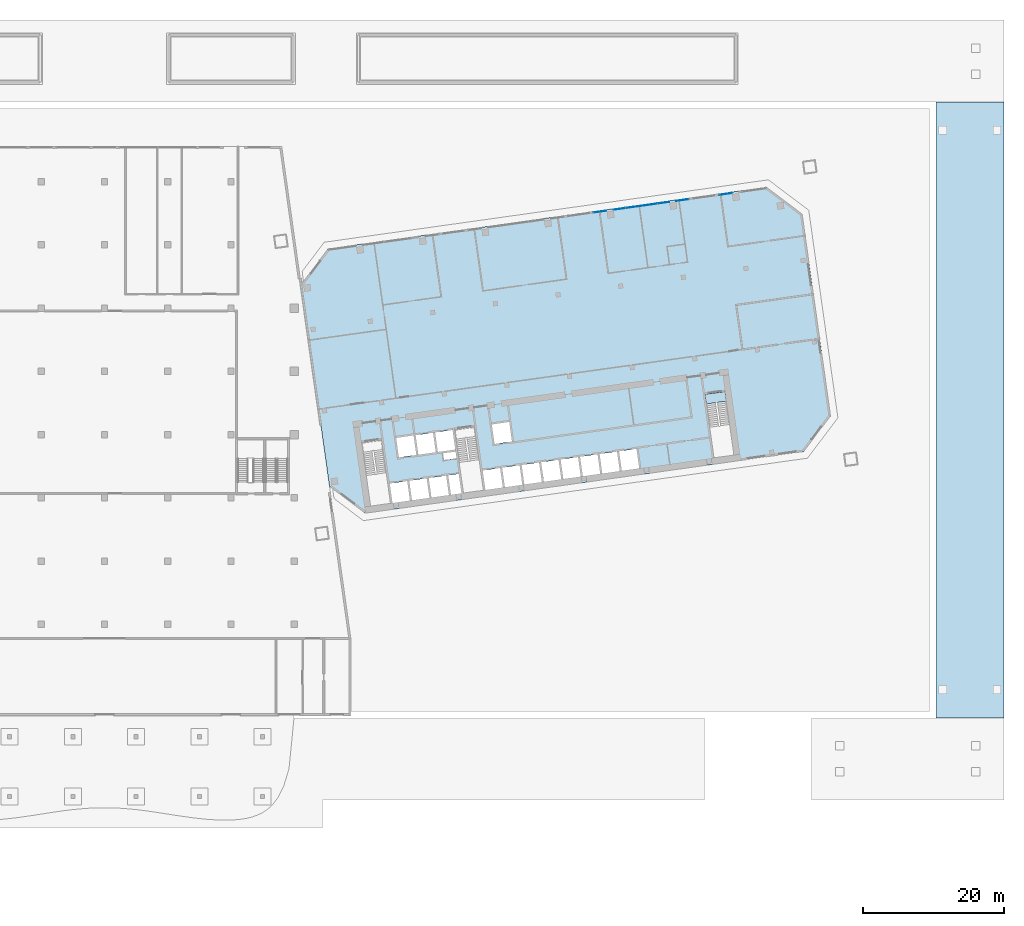
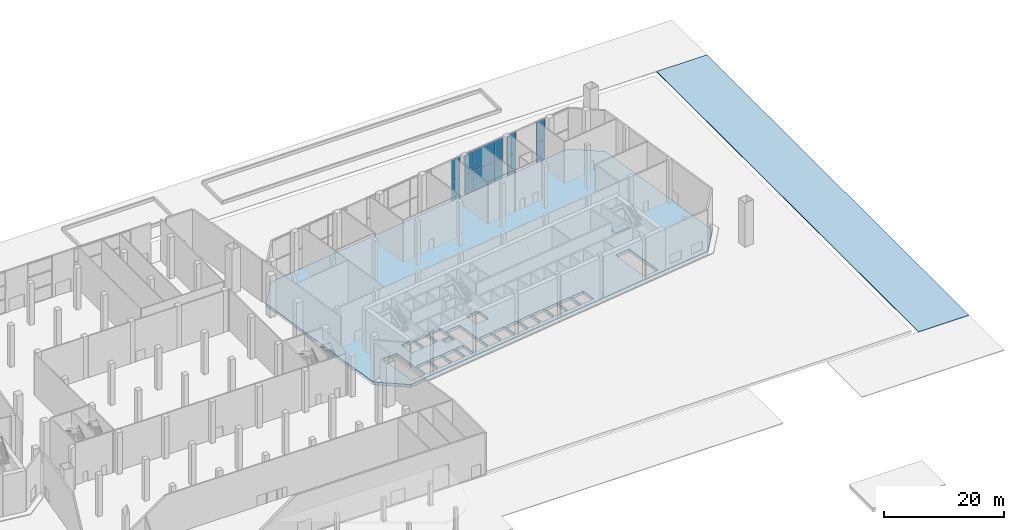
# One storey, part 14 of 34: 12 plates, 3 slabs, 3 elements without a shape of their own.
"""IFC4 building model written with IfcOpenShell, lengths in metres."""

from ifc_helpers import new_model, si_unit, direction, frame, origin, origin_2d, place, context, subcontext, project, spatial, polyline, rectangle, outline, extrude, material, layer, layer_set, type_object, element, aggregate, save


model = new_model("IFC4")

# Units and contexts
model_context = context("Model", 3, precision=1e-05, world=origin(), true_north=direction((0.0, 1.0)))
body_context = subcontext(model_context, "Body", "Model", "MODEL_VIEW")
ifc_project = project(units=[si_unit("LENGTHUNIT", "METRE"), si_unit("AREAUNIT", "SQUARE_METRE"), si_unit("VOLUMEUNIT", "CUBIC_METRE"), si_unit("PLANEANGLEUNIT", "RADIAN"), si_unit("MASSUNIT", "GRAM", prefix="KILO")], contexts=[model_context])

# Site, building, storey
site_placement = place(None, origin())
site = spatial("IfcSite", under=ifc_project, at=site_placement, CompositionType="ELEMENT")
building_placement = place(site_placement, origin())
building = spatial("IfcBuilding", under=site, at=building_placement, Name="Mirante Cascada Hotel Towers", CompositionType="ELEMENT")
storey_placement = place(building_placement, origin())
storey = spatial("IfcBuildingStorey", under=building, at=storey_placement, Name="L00", CompositionType="ELEMENT", Elevation=0.0)

# Curtain wall, plates
ifc_material_1 = material(Name="Aluminium mullion and transom frame with clear laminated glass", Category="aluminium")
curtain_wall_type = type_object("IfcCurtainWallType", Name="Podium curtain wall ECW3", PredefinedType="NOTDEFINED", material=ifc_material_1)
curtain_wall_1_placement = place(storey_placement, origin())
curtain_wall_1 = element("IfcCurtainWall", 1, at=curtain_wall_1_placement, inside=storey, type_object=curtain_wall_type, Name="Podium curtain wall L00 run front.1", PredefinedType="NOTDEFINED")
ifc_material_2 = material(Name="Clear laminated glass", Category="glass")
ifc_layer_1 = layer(ifc_material_2, 0.04)
ifc_layer_set_1 = layer_set([ifc_layer_1], Name="ECW3 glass panel 40")
plate_type = type_object("IfcPlateType", Name="ECW3 glass panel 40", PredefinedType="CURTAIN_PANEL", material=ifc_layer_set_1)
plate_1_placement = place(storey_placement, frame((88.3573, 25.2368, 0.12), z_axis=(0.0, 0.0, 1.0), x_axis=(-0.9902681, -0.1391731, 0.0)))
plate_1 = element("IfcPlate", 2, at=plate_1_placement, type_object=plate_type, Name="ECW3 panel 2", PredefinedType="CURTAIN_PANEL", context=body_context, shape_type="SweptSolid", body=[
    extrude(rectangle(XDim=1.8, YDim=0.04, at=origin_2d()), origin(), (0.0, 0.0, 1.0), 4.07),
])
plate_2_placement = place(storey_placement, frame((88.3573, 25.2368, 4.31), z_axis=(0.0, 0.0, 1.0), x_axis=(-0.9902681, -0.1391731, 0.0)))
plate_2 = element("IfcPlate", 3, at=plate_2_placement, type_object=plate_type, Name="ECW3 panel 2", PredefinedType="CURTAIN_PANEL", context=body_context, shape_type="SweptSolid", body=[
    extrude(rectangle(XDim=1.8, YDim=0.04, at=origin_2d()), origin(), (0.0, 0.0, 1.0), 4.07),
])
aggregate(curtain_wall_1, [plate_1, plate_2])

curtain_wall_2_placement = place(storey_placement, origin())
curtain_wall_2 = element("IfcCurtainWall", 4, at=curtain_wall_2_placement, inside=storey, type_object=curtain_wall_type, Name="Podium curtain wall L00 run front.3", PredefinedType="NOTDEFINED")
plate_3_placement = place(storey_placement, frame((82.2572, 24.3795, 0.12), z_axis=(0.0, 0.0, 1.0), x_axis=(-0.9902681, -0.1391731, 0.0)))
plate_3 = element("IfcPlate", 5, at=plate_3_placement, type_object=plate_type, Name="ECW3 panel 1", PredefinedType="CURTAIN_PANEL", context=body_context, shape_type="SweptSolid", body=[
    extrude(rectangle(XDim=1.8, YDim=0.04, at=origin_2d()), origin(), (0.0, 0.0, 1.0), 4.07),
])
plate_4_placement = place(storey_placement, frame((82.2572, 24.3795, 4.31), z_axis=(0.0, 0.0, 1.0), x_axis=(-0.9902681, -0.1391731, 0.0)))
plate_4 = element("IfcPlate", 6, at=plate_4_placement, type_object=plate_type, Name="ECW3 panel 1", PredefinedType="CURTAIN_PANEL", context=body_context, shape_type="SweptSolid", body=[
    extrude(rectangle(XDim=1.8, YDim=0.04, at=origin_2d()), origin(), (0.0, 0.0, 1.0), 4.07),
])
plate_5_placement = place(storey_placement, frame((79.5241, 23.9954, 0.12), z_axis=(0.0, 0.0, 1.0), x_axis=(-0.9902681, -0.1391731, 0.0)))
plate_5 = element("IfcPlate", 7, at=plate_5_placement, type_object=plate_type, Name="ECW3 panel 1", PredefinedType="CURTAIN_PANEL", context=body_context, shape_type="SweptSolid", body=[
    extrude(rectangle(XDim=1.64, YDim=0.04, at=origin_2d()), origin(), (0.0, 0.0, 1.0), 4.07),
])
plate_6_placement = place(storey_placement, frame((79.5241, 23.9954, 4.31), z_axis=(0.0, 0.0, 1.0), x_axis=(-0.9902681, -0.1391731, 0.0)))
plate_6 = element("IfcPlate", 8, at=plate_6_placement, type_object=plate_type, Name="ECW3 panel 1", PredefinedType="CURTAIN_PANEL", context=body_context, shape_type="SweptSolid", body=[
    extrude(rectangle(XDim=1.64, YDim=0.04, at=origin_2d()), origin(), (0.0, 0.0, 1.0), 4.07),
])
plate_7_placement = place(storey_placement, frame((76.3949, 23.5556, 0.12), z_axis=(0.0, 0.0, 1.0), x_axis=(-0.9902681, -0.1391731, 0.0)))
plate_7 = element("IfcPlate", 9, at=plate_7_placement, type_object=plate_type, Name="ECW3 panel 2", PredefinedType="CURTAIN_PANEL", context=body_context, shape_type="SweptSolid", body=[
    extrude(rectangle(XDim=4.52, YDim=0.04, at=origin_2d()), origin(), (0.0, 0.0, 1.0), 4.07),
])
plate_8_placement = place(storey_placement, frame((76.3949, 23.5556, 4.31), z_axis=(0.0, 0.0, 1.0), x_axis=(-0.9902681, -0.1391731, 0.0)))
plate_8 = element("IfcPlate", 10, at=plate_8_placement, type_object=plate_type, Name="ECW3 panel 2", PredefinedType="CURTAIN_PANEL", context=body_context, shape_type="SweptSolid", body=[
    extrude(rectangle(XDim=4.52, YDim=0.04, at=origin_2d()), origin(), (0.0, 0.0, 1.0), 4.07),
])
plate_9_placement = place(storey_placement, frame((73.2656, 23.1158, 0.12), z_axis=(0.0, 0.0, 1.0), x_axis=(-0.9902681, -0.1391731, 0.0)))
plate_9 = element("IfcPlate", 11, at=plate_9_placement, type_object=plate_type, Name="ECW3 panel 3", PredefinedType="CURTAIN_PANEL", context=body_context, shape_type="SweptSolid", body=[
    extrude(rectangle(XDim=1.64, YDim=0.04, at=origin_2d()), origin(), (0.0, 0.0, 1.0), 4.07),
])
plate_10_placement = place(storey_placement, frame((73.2656, 23.1158, 4.31), z_axis=(0.0, 0.0, 1.0), x_axis=(-0.9902681, -0.1391731, 0.0)))
plate_10 = element("IfcPlate", 12, at=plate_10_placement, type_object=plate_type, Name="ECW3 panel 3", PredefinedType="CURTAIN_PANEL", context=body_context, shape_type="SweptSolid", body=[
    extrude(rectangle(XDim=1.64, YDim=0.04, at=origin_2d()), origin(), (0.0, 0.0, 1.0), 4.07),
])
plate_11_placement = place(storey_placement, frame((70.5325, 22.7317, 0.12), z_axis=(0.0, 0.0, 1.0), x_axis=(-0.9902681, -0.1391731, 0.0)))
plate_11 = element("IfcPlate", 13, at=plate_11_placement, type_object=plate_type, Name="ECW3 panel 3", PredefinedType="CURTAIN_PANEL", context=body_context, shape_type="SweptSolid", body=[
    extrude(rectangle(XDim=1.8, YDim=0.04, at=origin_2d()), origin(), (0.0, 0.0, 1.0), 4.07),
])
plate_12_placement = place(storey_placement, frame((70.5325, 22.7317, 4.31), z_axis=(0.0, 0.0, 1.0), x_axis=(-0.9902681, -0.1391731, 0.0)))
plate_12 = element("IfcPlate", 14, at=plate_12_placement, type_object=plate_type, Name="ECW3 panel 3", PredefinedType="CURTAIN_PANEL", context=body_context, shape_type="SweptSolid", body=[
    extrude(rectangle(XDim=1.8, YDim=0.04, at=origin_2d()), origin(), (0.0, 0.0, 1.0), 4.07),
])
aggregate(curtain_wall_2, [plate_3, plate_4, plate_5, plate_6, plate_7, plate_8, plate_9, plate_10, plate_11, plate_12])

# Stair, slab
ifc_material_3 = material(Name="Concrete C35/45", Category="concrete")
stair_type = type_object("IfcStairType", Name="Exit stair half-turn 1350 concrete C35/45", PredefinedType="HALF_TURN_STAIR", material=ifc_material_3)
stair_placement = place(storey_placement, origin())
stair = element("IfcStair", 15, at=stair_placement, inside=storey, type_object=stair_type, Name="L00 Exit stair C", PredefinedType="HALF_TURN_STAIR")
ifc_material_4 = material(Name="Concrete C35/45", Category="concrete")
ifc_layer_2 = layer(ifc_material_4, 0.2)
ifc_layer_set_2 = layer_set([ifc_layer_2], Name="Exit stair landing 200 concrete C35/45")
slab_type_1 = type_object("IfcSlabType", Name="Exit stair landing 200 concrete C35/45", PredefinedType="LANDING", material=ifc_layer_set_2)
slab_1_placement = place(storey_placement, frame((0.0, 0.0, 4.3)))
slab_1 = element("IfcSlab", 16, at=slab_1_placement, type_object=slab_type_1, Name="ST2-C landing 2", PredefinedType="LANDING", context=body_context, shape_type="SweptSolid", body=[
    extrude(outline(polyline([(85.4697, -3.2927), (85.6587, -4.6375), (88.481, -4.2408), (88.292, -2.896), (85.4697, -3.2927)])), origin(), (0.0, 0.0, 1.0), 0.2),
])
aggregate(stair, [slab_1])

# Slabs
ifc_material_5 = material(Name="Concrete C25/30", Category="concrete")
ifc_layer_3 = layer(ifc_material_5, 0.15)
ifc_layer_set_3 = layer_set([ifc_layer_3], Name="Paving slab 150 concrete C25/30")
slab_type_2 = type_object("IfcSlabType", Name="Paving slab 150 concrete C25/30", PredefinedType="USERDEFINED", material=ifc_layer_set_3)
slab_2_placement = place(storey_placement, frame((0.0, 0.0, -0.15)))
element("IfcSlab", 17, at=slab_2_placement, inside=storey, type_object=slab_type_2, Name="Paving East service band", ObjectType="PAVING", PredefinedType="USERDEFINED", context=body_context, shape_type="SweptSolid", body=[
    extrude(outline(polyline([(128.0, 38.3), (118.3, 38.3), (118.3, -49.3), (128.0, -49.3), (128.0, 38.3)])), origin(), (0.0, 0.0, 1.0), 0.15),
])
ifc_material_6 = material(Name="Concrete C40/50", Category="concrete")
ifc_layer_4 = layer(ifc_material_6, 0.6)
ifc_layer_set_4 = layer_set([ifc_layer_4], Name="Post-tensioned flat plate 600 Concrete C40/50")
slab_type_3 = type_object("IfcSlabType", Name="Post-tensioned flat plate 600 Concrete C40/50", PredefinedType="FLOOR", material=ifc_layer_set_4)
slab_3_placement = place(storey_placement, frame((0.0, 0.0, -0.6)))
element("IfcSlab", 18, at=slab_3_placement, inside=storey, type_object=slab_type_3, Name="Floor T2 L00", PredefinedType="FLOOR", context=body_context, shape_type="SweptSolid", body=[
    extrude(outline(polyline([(32.018, -16.3589), (27.982, 12.3589), (31.8119, 17.4414), (94.1988, 26.2093), (99.2813, 22.3794), (103.3173, -6.3384), (99.4874, -11.4209), (37.1005, -20.1888), (32.018, -16.3589)]), holes=[polyline([(43.0718, -15.6132), (40.5961, -15.9612), (40.9858, -18.7339), (43.4615, -18.386), (43.0718, -15.6132)]), polyline([(45.8446, -15.2236), (43.3689, -15.5715), (43.7586, -18.3442), (46.2342, -17.9963), (45.8446, -15.2236)]), polyline([(48.6173, -14.8339), (46.1416, -15.1818), (46.5313, -17.9546), (49.007, -17.6066), (48.6173, -14.8339)]), polyline([(50.7895, -17.3561), (50.3998, -14.5834), (48.9144, -14.7921), (49.3041, -17.5649), (50.7895, -17.3561)]), polyline([(36.7887, -11.5037), (37.8665, -19.1723), (40.6887, -18.7757), (39.611, -11.107), (36.7887, -11.5037)]), polyline([(51.0866, -17.3144), (53.9088, -16.9177), (52.8311, -9.2491), (50.0088, -9.6457), (51.0866, -17.3144)]), polyline([(49.9544, -11.4145), (48.1472, -11.6685), (48.2829, -12.634), (50.0901, -12.38), (49.9544, -11.4145)]), polyline([(43.9775, -9.124), (41.5018, -9.472), (41.8915, -12.2447), (44.3672, -11.8968), (43.9775, -9.124)]), polyline([(47.1399, -11.5071), (46.7503, -8.7344), (44.2746, -9.0823), (44.6643, -11.855), (47.1399, -11.5071)]), polyline([(49.9127, -11.1174), (49.523, -8.3447), (47.0473, -8.6926), (47.437, -11.4654), (49.9127, -11.1174)]), polyline([(56.2919, -13.7553), (53.8162, -14.1032), (54.2059, -16.876), (56.6816, -16.528), (56.2919, -13.7553)]), polyline([(59.0646, -13.3656), (56.589, -13.7135), (56.9787, -16.4863), (59.4543, -16.1383), (59.0646, -13.3656)]), polyline([(61.8374, -12.9759), (59.3617, -13.3238), (59.7514, -16.0966), (62.2271, -15.7487), (61.8374, -12.9759)]), polyline([(64.9998, -15.359), (64.6101, -12.5862), (62.1345, -12.9342), (62.5242, -15.7069), (64.9998, -15.359)]), polyline([(67.7726, -14.9693), (67.3829, -12.1965), (64.9072, -12.5445), (65.2969, -15.3172), (67.7726, -14.9693)]), polyline([(70.1556, -11.8069), (67.68, -12.1548), (68.0697, -14.9275), (70.5453, -14.5796), (70.1556, -11.8069)]), polyline([(72.9284, -11.4172), (70.4527, -11.7651), (70.8424, -14.5379), (73.3181, -14.1899), (72.9284, -11.4172)]), polyline([(75.7011, -11.0275), (73.2255, -11.3754), (73.6152, -14.1482), (76.0908, -13.8002), (75.7011, -11.0275)]), polyline([(85.6585, -4.6355), (86.7362, -12.3041), (89.5585, -11.9075), (88.4807, -4.2388), (85.6585, -4.6355)]), polyline([(57.9834, -9.9832), (57.5937, -7.2104), (55.118, -7.5583), (55.5077, -10.3311), (57.9834, -9.9832)])]), origin(), (0.0, 0.0, 1.0), 0.6),
])

save(model, "model.ifc")
